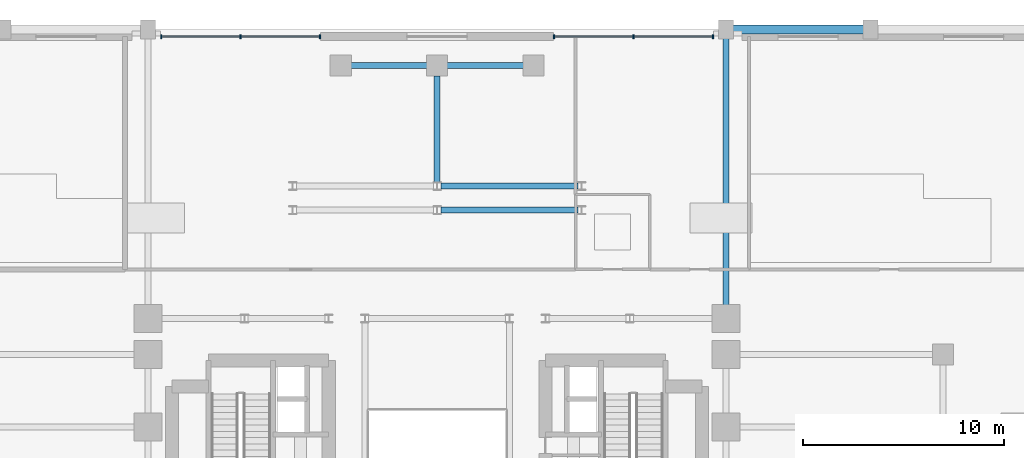
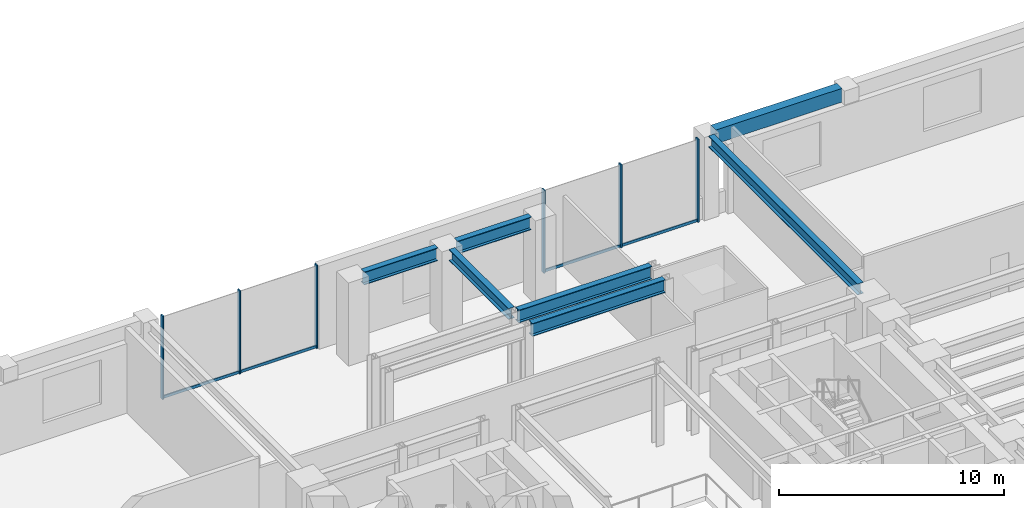
# One storey, part 8 of 14: 10 members, 7 beams, 2 elements without a shape of their own.
"""IFC4 building model written with IfcOpenShell, lengths in metres."""

from ifc_helpers import new_model, si_unit, direction, frame, origin, origin_2d, place, context, subcontext, project, spatial, rectangle, i_section, extrude, source, transform, mapped, material, material_profile, profile_set, type_object, element, aggregate, save


model = new_model("IFC4")

# Units and contexts
model_context = context("Model", 3, precision=1e-05, world=origin(), true_north=direction((0.0, 1.0)))
body_context = subcontext(model_context, "Body", "Model", "MODEL_VIEW")
ifc_project = project(units=[si_unit("LENGTHUNIT", "METRE"), si_unit("AREAUNIT", "SQUARE_METRE"), si_unit("VOLUMEUNIT", "CUBIC_METRE"), si_unit("PLANEANGLEUNIT", "RADIAN"), si_unit("MASSUNIT", "GRAM", prefix="KILO")], contexts=[model_context])

# Site, building, storey
site_placement = place(None, origin())
site = spatial("IfcSite", under=ifc_project, at=site_placement, CompositionType="ELEMENT")
building_placement = place(site_placement, origin())
building = spatial("IfcBuilding", under=site, at=building_placement, Name="Keilestroom Media Tower", CompositionType="ELEMENT")
storey_placement = place(building_placement, frame((0.0, 0.0, 5.39990234375)))
storey = spatial("IfcBuildingStorey", under=building, at=storey_placement, Name="L01", CompositionType="ELEMENT", Elevation=5.39990234375)

# Beams
ifc_material_1 = material(Name="Precast concrete C40/50", Category="concrete")
ifc_material_profile_1 = material_profile(ifc_material_1, rectangle(XDim=0.449951171875, YDim=0.75, at=origin_2d()), Name="PC 450x750")
ifc_profile_set_1 = profile_set([ifc_material_profile_1], Name="Precast concrete C40/50")
beam_type_1 = type_object("IfcBeamType", Name="Perimeter-Spandrel-Beam-PC-450x750", PredefinedType="SPANDREL", material=ifc_profile_set_1)
shared_shape_1 = source(origin(), body_context, "Body", "SweptSolid", [
    extrude(rectangle(XDim=0.449951171875, YDim=0.75, at=origin_2d()), origin(), (0.0, 0.0, 1.0), 6.490234375),
])
beam_1_placement = place(storey_placement, frame((14.7548828125, 23.39990234375, 4.14501953125), z_axis=(1.0, 0.0, 0.0), x_axis=(0.0, 1.0, 0.0)))
element("IfcBeam", 1, at=beam_1_placement, inside=storey, type_object=beam_type_1, Name="L01 Beam SPB-1 BM-L01-EW-043", PredefinedType="SPANDREL", context=body_context, shape_type="MappedRepresentation", body=[
    mapped(shared_shape_1, transform((0.0, 0.0, 0.0), x_axis=(1.0, 0.0, 0.0), y_axis=(0.0, 1.0, 0.0), z_axis=(0.0, 0.0, 1.0), scale=1.0)),
])
ifc_material_2 = material(Name="Steel S355", Category="steel")
ifc_material_profile_2 = material_profile(ifc_material_2, i_section(OverallWidth=0.300048828125, OverallDepth=0.60009765625, WebThickness=0.013427734375, FlangeThickness=0.030029296875, at=origin_2d()), Name="HEB 600")
ifc_profile_set_2 = profile_set([ifc_material_profile_2], Name="Steel S355")
beam_type_2 = type_object("IfcBeamType", Name="Primary-Structural-Girder-HEB-600", PredefinedType="BEAM", material=ifc_profile_set_2)
shared_shape_2 = source(origin(), body_context, "Body", "SweptSolid", [
    extrude(i_section(OverallWidth=0.300048828125, OverallDepth=0.60009765625, WebThickness=0.013427734375, FlangeThickness=0.030029296875, at=origin_2d()), origin(), (0.0, 0.0, 1.0), 13.26513671875),
])
beam_2_placement = place(storey_placement, frame((14.39990234375, 9.679931640625, 4.22021484375), z_axis=(0.0, 1.0, 0.0), x_axis=(-1.0, 0.0, 0.0)))
element("IfcBeam", 2, at=beam_2_placement, inside=storey, type_object=beam_type_2, Name="L01 Beam BG-4 BM-L01-NS-081", PredefinedType="BEAM", context=body_context, shape_type="MappedRepresentation", body=[
    mapped(shared_shape_2, transform((0.0, 0.0, 0.0), x_axis=(1.0, 0.0, 0.0), y_axis=(0.0, 1.0, 0.0), z_axis=(0.0, 0.0, 1.0), scale=1.0)),
])
shared_shape_3 = source(origin(), body_context, "Body", "SweptSolid", [
    extrude(i_section(OverallWidth=0.300048828125, OverallDepth=0.60009765625, WebThickness=0.013427734375, FlangeThickness=0.030029296875, at=origin_2d()), origin(), (0.0, 0.0, 1.0), 5.306884765625),
])
beam_3_placement = place(storey_placement, frame((0.0, 15.7880859375, 4.22021484375), z_axis=(0.0, 1.0, 0.0), x_axis=(-1.0, 0.0, 0.0)))
element("IfcBeam", 3, at=beam_3_placement, inside=storey, type_object=beam_type_2, Name="L01 Beam BG-4 BM-L01-NS-069", PredefinedType="BEAM", context=body_context, shape_type="MappedRepresentation", body=[
    mapped(shared_shape_3, transform((0.0, 0.0, 0.0), x_axis=(1.0, 0.0, 0.0), y_axis=(0.0, 1.0, 0.0), z_axis=(0.0, 0.0, 1.0), scale=1.0)),
])
ifc_material_3 = material(Name="Steel S460", Category="steel")
ifc_material_profile_3 = material_profile(ifc_material_3, i_section(OverallWidth=0.300048828125, OverallDepth=0.699951171875, WebThickness=0.014404296875, FlangeThickness=0.031982421875, at=origin_2d()), Name="HEB 700")
ifc_profile_set_3 = profile_set([ifc_material_profile_3], Name="Steel S460")
beam_type_3 = type_object("IfcBeamType", Name="Primary-Structural-Girder-HEB-700", PredefinedType="BEAM", material=ifc_profile_set_3)
shared_shape_4 = source(origin(), body_context, "Body", "SweptSolid", [
    extrude(i_section(OverallWidth=0.300048828125, OverallDepth=0.699951171875, WebThickness=0.014404296875, FlangeThickness=0.031982421875, at=origin_2d()), origin(), (0.0, 0.0, 1.0), 6.833984375),
])
for number, where, z_axis, x_axis, name in (
    (4, (0.18310546875, 14.39990234375, 4.170166015625), (1.0, 0.0, 0.0), (0.0, 1.0, 0.0), "L01 Beam BG-2 BM-L01-EW-036"),
    (5, (0.18310546875, 15.60009765625, 4.170166015625), (1.0, 0.0, 0.0), (0.0, 1.0, 0.0), "L01 Beam BG-2 BM-L01-EW-038"),
):
    element("IfcBeam", number, at=place(storey_placement, frame(where, z_axis=z_axis, x_axis=x_axis)), inside=storey, type_object=beam_type_3, Name=name, PredefinedType="BEAM", context=body_context, shape_type="MappedRepresentation", body=[
        mapped(shared_shape_4, transform((0.0, 0.0, 0.0), x_axis=(1.0, 0.0, 0.0), y_axis=(0.0, 1.0, 0.0), z_axis=(0.0, 0.0, 1.0), scale=1.0)),
    ])
shared_shape_5 = source(origin(), body_context, "Body", "SweptSolid", [
    extrude(i_section(OverallWidth=0.300048828125, OverallDepth=0.699951171875, WebThickness=0.014404296875, FlangeThickness=0.031982421875, at=origin_2d()), origin(), (0.0, 0.0, 1.0), 3.7900390625),
])
for number, where, z_axis, x_axis, name in (
    (6, (-4.294921875, 21.60009765625, 4.170166015625), (1.0, 0.0, 0.0), (0.0, 1.0, 0.0), "L01 Beam BG-2 BM-L01-EW-039"),
    (7, (0.5048828125, 21.60009765625, 4.170166015625), (1.0, 0.0, 0.0), (0.0, 1.0, 0.0), "L01 Beam BG-2 BM-L01-EW-040"),
):
    element("IfcBeam", number, at=place(storey_placement, frame(where, z_axis=z_axis, x_axis=x_axis)), inside=storey, type_object=beam_type_3, Name=name, PredefinedType="BEAM", context=body_context, shape_type="MappedRepresentation", body=[
        mapped(shared_shape_5, transform((0.0, 0.0, 0.0), x_axis=(1.0, 0.0, 0.0), y_axis=(0.0, 1.0, 0.0), z_axis=(0.0, 0.0, 1.0), scale=1.0)),
    ])

# Curtain wall, member
ifc_material_4 = material(Name="Anodised Aluminium Alloy", Category="aluminium")
curtain_wall_type = type_object("IfcCurtainWallType", Name="Unitised-Curtain-Wall-CW-7", PredefinedType="NOTDEFINED", material=ifc_material_4)
curtain_wall_1_placement = place(storey_placement, origin())
curtain_wall_1 = element("IfcCurtainWall", 8, at=curtain_wall_1_placement, inside=storey, type_object=curtain_wall_type, Name="L01 Curtain Wall CW-7 CW-L01-N-ATW", PredefinedType="NOTDEFINED")
ifc_material_profile_4 = material_profile(ifc_material_4, rectangle(XDim=0.06494140625, YDim=0.14990234375, at=origin_2d()), Name="ALU TRANSOM 65x150")
ifc_profile_set_4 = profile_set([ifc_material_profile_4], Name="Anodised Aluminium Alloy")
member_type_1 = type_object("IfcMemberType", Name="Curtain-Wall-Transom-CW-7", PredefinedType="USERDEFINED", material=ifc_profile_set_4)
shared_shape_6 = source(origin(), body_context, "Body", "SweptSolid", [
    extrude(rectangle(XDim=0.06494140625, YDim=0.14990234375, at=origin_2d()), origin(), (0.0, 0.0, 1.0), 3.888916015625),
])
member_1_placement = place(storey_placement, frame((-13.7119140625, 23.050048828125, 0.0751953125), z_axis=(1.0, 0.0, 0.0), x_axis=(0.0, 1.0, 0.0)))
member_1 = element("IfcMember", 9, at=member_1_placement, type_object=member_type_1, Name="CW-7 Transom 00.1", ObjectType="TRANSOM", PredefinedType="USERDEFINED", context=body_context, shape_type="MappedRepresentation", body=[
    mapped(shared_shape_6, transform((0.0, 0.0, 0.0), x_axis=(1.0, 0.0, 0.0), y_axis=(0.0, 1.0, 0.0), z_axis=(0.0, 0.0, 1.0), scale=1.0)),
])

curtain_wall_2_placement = place(storey_placement, origin())
curtain_wall_2 = element("IfcCurtainWall", 10, at=curtain_wall_2_placement, inside=storey, type_object=curtain_wall_type, Name="L01 Curtain Wall CW-7 CW-L01-N-ATE", PredefinedType="NOTDEFINED")
member_2_placement = place(storey_placement, frame((9.822998046875, 23.050048828125, 0.0751953125), z_axis=(1.0, 0.0, 0.0), x_axis=(0.0, 1.0, 0.0)))
member_2 = element("IfcMember", 11, at=member_2_placement, type_object=member_type_1, Name="CW-7 Transom 01.1", ObjectType="TRANSOM", PredefinedType="USERDEFINED", context=body_context, shape_type="MappedRepresentation", body=[
    mapped(shared_shape_6, transform((0.0, 0.0, 0.0), x_axis=(1.0, 0.0, 0.0), y_axis=(0.0, 1.0, 0.0), z_axis=(0.0, 0.0, 1.0), scale=1.0)),
])

# Member
shared_shape_7 = source(origin(), body_context, "Body", "SweptSolid", [
    extrude(rectangle(XDim=0.06494140625, YDim=0.14990234375, at=origin_2d()), origin(), (0.0, 0.0, 1.0), 3.88916015625),
])
member_3_placement = place(storey_placement, frame((-9.757080078125, 23.050048828125, 0.0751953125), z_axis=(1.0, 0.0, 0.0), x_axis=(0.0, 1.0, 0.0)))
member_3 = element("IfcMember", 12, at=member_3_placement, type_object=member_type_1, Name="CW-7 Transom 01.1", ObjectType="TRANSOM", PredefinedType="USERDEFINED", context=body_context, shape_type="MappedRepresentation", body=[
    mapped(shared_shape_7, transform((0.0, 0.0, 0.0), x_axis=(1.0, 0.0, 0.0), y_axis=(0.0, 1.0, 0.0), z_axis=(0.0, 0.0, 1.0), scale=1.0)),
])

member_4_placement = place(storey_placement, frame((5.867919921875, 23.050048828125, 0.0751953125), z_axis=(1.0, 0.0, 0.0), x_axis=(0.0, 1.0, 0.0)))
member_4 = element("IfcMember", 13, at=member_4_placement, type_object=member_type_1, Name="CW-7 Transom 00.1", ObjectType="TRANSOM", PredefinedType="USERDEFINED", context=body_context, shape_type="MappedRepresentation", body=[
    mapped(shared_shape_7, transform((0.0, 0.0, 0.0), x_axis=(1.0, 0.0, 0.0), y_axis=(0.0, 1.0, 0.0), z_axis=(0.0, 0.0, 1.0), scale=1.0)),
])

ifc_material_profile_5 = material_profile(ifc_material_4, rectangle(XDim=0.070068359375, YDim=0.199951171875, at=origin_2d()), Name="ALU MULLION 70x200")
ifc_profile_set_5 = profile_set([ifc_material_profile_5], Name="Anodised Aluminium Alloy")
member_type_2 = type_object("IfcMemberType", Name="Curtain-Wall-Mullion-CW-7", PredefinedType="MULLION", material=ifc_profile_set_5)
shared_shape_8 = source(origin(), body_context, "Body", "SweptSolid", [
    extrude(rectangle(XDim=0.070068359375, YDim=0.199951171875, at=origin_2d()), origin(), (0.0, 0.0, 1.0), 4.52001953125),
])
member_5_placement = place(storey_placement, frame((-13.7451171875, 23.050048828125, 0.0), z_axis=(0.0, 0.0, 1.0), x_axis=(1.0, 0.0, 0.0)))
member_5 = element("IfcMember", 14, at=member_5_placement, type_object=member_type_2, Name="CW-7 Mullion 00", PredefinedType="MULLION", context=body_context, shape_type="MappedRepresentation", body=[
    mapped(shared_shape_8, transform((0.0, 0.0, 0.0), x_axis=(1.0, 0.0, 0.0), y_axis=(0.0, 1.0, 0.0), z_axis=(0.0, 0.0, 1.0), scale=1.0)),
])

member_6_placement = place(storey_placement, frame((-9.7900390625, 23.050048828125, 0.0), z_axis=(0.0, 0.0, 1.0), x_axis=(1.0, 0.0, 0.0)))
member_6 = element("IfcMember", 15, at=member_6_placement, type_object=member_type_2, Name="CW-7 Mullion 01", PredefinedType="MULLION", context=body_context, shape_type="MappedRepresentation", body=[
    mapped(shared_shape_8, transform((0.0, 0.0, 0.0), x_axis=(1.0, 0.0, 0.0), y_axis=(0.0, 1.0, 0.0), z_axis=(0.0, 0.0, 1.0), scale=1.0)),
])

member_7_placement = place(storey_placement, frame((-5.8349609375, 23.050048828125, 0.0), z_axis=(0.0, 0.0, 1.0), x_axis=(1.0, 0.0, 0.0)))
member_7 = element("IfcMember", 16, at=member_7_placement, type_object=member_type_2, Name="CW-7 Mullion 02", PredefinedType="MULLION", context=body_context, shape_type="MappedRepresentation", body=[
    mapped(shared_shape_8, transform((0.0, 0.0, 0.0), x_axis=(1.0, 0.0, 0.0), y_axis=(0.0, 1.0, 0.0), z_axis=(0.0, 0.0, 1.0), scale=1.0)),
])

aggregate(curtain_wall_1, [member_5, member_6, member_7, member_1, member_3])

member_8_placement = place(storey_placement, frame((5.8349609375, 23.050048828125, 0.0), z_axis=(0.0, 0.0, 1.0), x_axis=(1.0, 0.0, 0.0)))
member_8 = element("IfcMember", 17, at=member_8_placement, type_object=member_type_2, Name="CW-7 Mullion 00", PredefinedType="MULLION", context=body_context, shape_type="MappedRepresentation", body=[
    mapped(shared_shape_8, transform((0.0, 0.0, 0.0), x_axis=(1.0, 0.0, 0.0), y_axis=(0.0, 1.0, 0.0), z_axis=(0.0, 0.0, 1.0), scale=1.0)),
])

member_9_placement = place(storey_placement, frame((9.7900390625, 23.050048828125, 0.0), z_axis=(0.0, 0.0, 1.0), x_axis=(1.0, 0.0, 0.0)))
member_9 = element("IfcMember", 18, at=member_9_placement, type_object=member_type_2, Name="CW-7 Mullion 01", PredefinedType="MULLION", context=body_context, shape_type="MappedRepresentation", body=[
    mapped(shared_shape_8, transform((0.0, 0.0, 0.0), x_axis=(1.0, 0.0, 0.0), y_axis=(0.0, 1.0, 0.0), z_axis=(0.0, 0.0, 1.0), scale=1.0)),
])

member_10_placement = place(storey_placement, frame((13.7451171875, 23.050048828125, 0.0), z_axis=(0.0, 0.0, 1.0), x_axis=(1.0, 0.0, 0.0)))
member_10 = element("IfcMember", 19, at=member_10_placement, type_object=member_type_2, Name="CW-7 Mullion 02", PredefinedType="MULLION", context=body_context, shape_type="MappedRepresentation", body=[
    mapped(shared_shape_8, transform((0.0, 0.0, 0.0), x_axis=(1.0, 0.0, 0.0), y_axis=(0.0, 1.0, 0.0), z_axis=(0.0, 0.0, 1.0), scale=1.0)),
])

aggregate(curtain_wall_2, [member_8, member_9, member_10, member_4, member_2])

save(model, "model.ifc")
